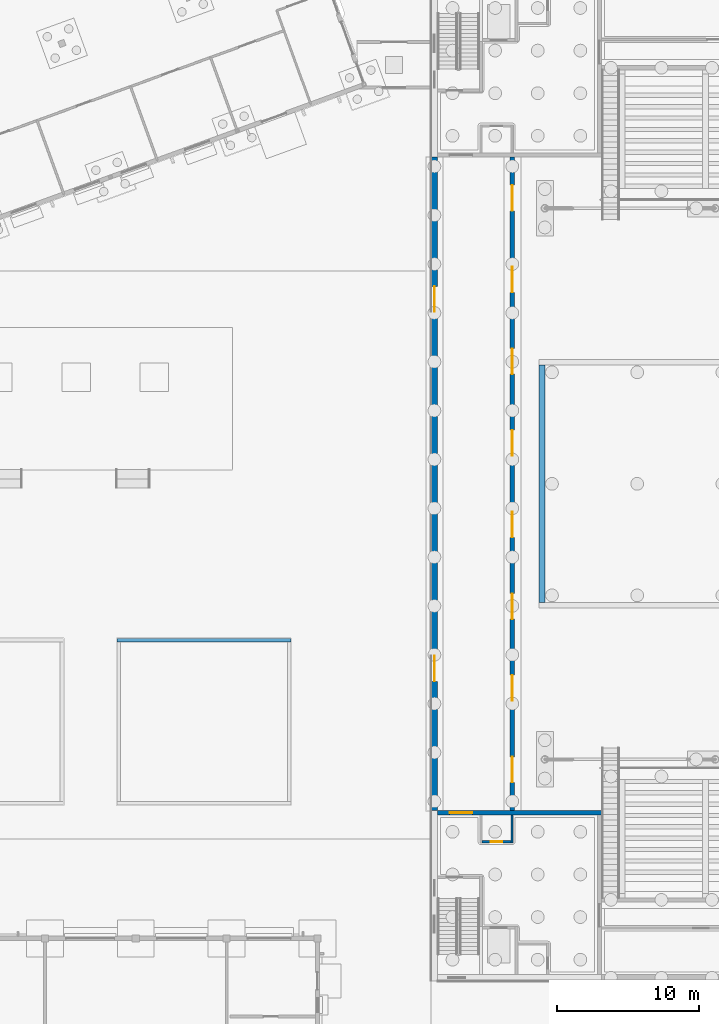
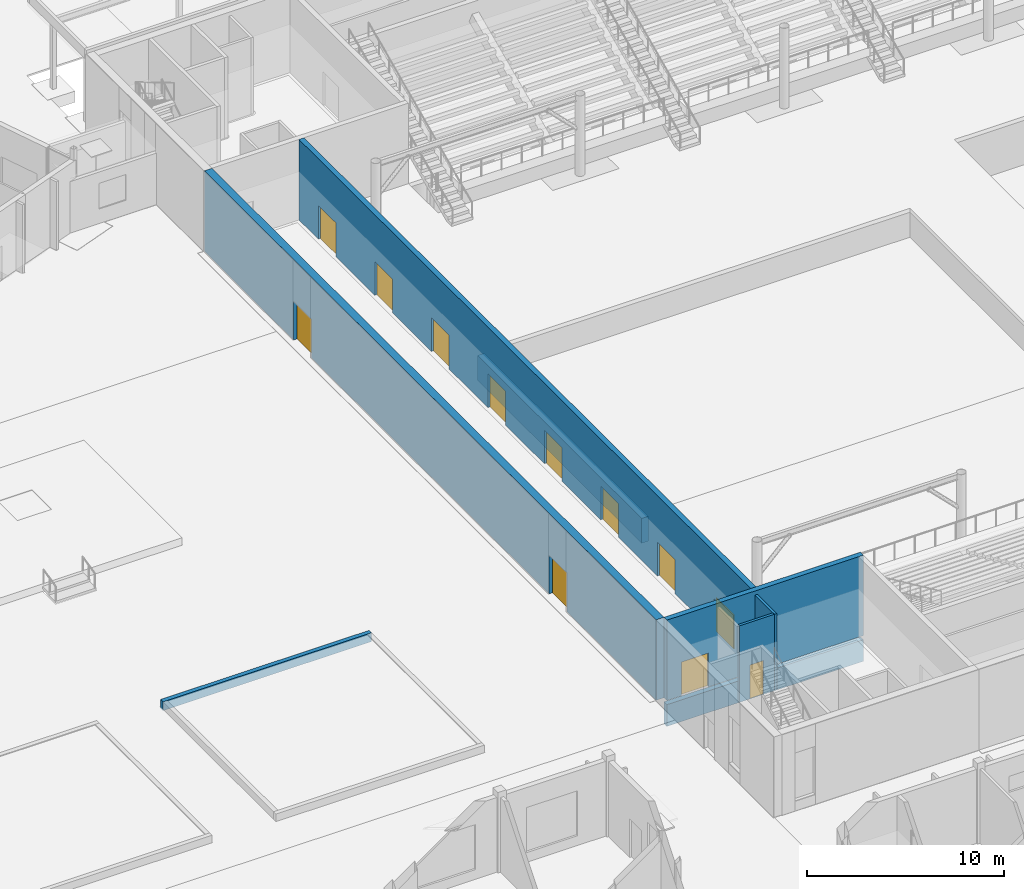
# One storey, part 78 of 157: 12 doors, 8 walls, 12 openings.
"""IFC4 building model written with IfcOpenShell, lengths in metres."""

from ifc_helpers import new_model, si_unit, direction, frame, frame_2d, origin, place, context, subcontext, project, spatial, rectangle, extrude, material, layer, layer_set, type_object, element, fill, save


model = new_model("IFC4")

# Units and contexts
model_context = context("Model", 3, precision=1e-05, world=origin(), true_north=direction((0.0, 1.0)))
body_context = subcontext(model_context, "Body", "Model", "MODEL_VIEW")
ifc_project = project(units=[si_unit("LENGTHUNIT", "METRE"), si_unit("AREAUNIT", "SQUARE_METRE"), si_unit("VOLUMEUNIT", "CUBIC_METRE"), si_unit("PLANEANGLEUNIT", "RADIAN"), si_unit("MASSUNIT", "GRAM", prefix="KILO")], contexts=[model_context])

# Site, building, storey
site_placement = place(None, origin())
site = spatial("IfcSite", under=ifc_project, at=site_placement, CompositionType="ELEMENT")
building_placement = place(site_placement, origin())
building = spatial("IfcBuilding", under=site, at=building_placement, Name="Windward Yard Aquatics Centre", CompositionType="ELEMENT")
storey_placement = place(building_placement, origin())
storey = spatial("IfcBuildingStorey", under=building, at=storey_placement, Name="L00", CompositionType="ELEMENT", Elevation=0.0)

# Wall, opening, door
ifc_material_1 = material(Name="Blockwork 150 mm", Category="masonry")
ifc_layer_1 = layer(ifc_material_1, 0.14990234375)
ifc_layer_set_1 = layer_set([ifc_layer_1], Name="H Partition Blockwork 150")
wall_type_1 = type_object("IfcWallType", Name="H Partition Blockwork 150", PredefinedType="PARTITIONING", material=ifc_layer_set_1)
wall_1_placement = place(storey_placement, frame((55.574951171875, 35.800048828125, 0.0), z_axis=(0.0, 0.0, 1.0), x_axis=(1.0, 0.0, 0.0)))
wall_1 = element("IfcWall", 1, at=wall_1_placement, inside=storey, type_object=wall_type_1, Name="L00 R2S riser wall SW", PredefinedType="PARTITIONING", context=body_context, shape_type="SweptSolid", body=[
    extrude(rectangle(XDim=2.050048828125, YDim=0.14990234375, at=frame_2d((1.02490234375, 0.0))), origin(), (0.0, 0.0, 1.0), 4.75),
])
opening_1_placement = place(wall_1_placement, frame((0.625, 0.0, 0.0)))
opening_1 = element("IfcOpeningElement", 2, at=opening_1_placement, cuts=wall_1, Name="Opening H0004", PredefinedType="OPENING", context=body_context, shape_type="SweptSolid", body=[
    extrude(rectangle(XDim=0.800048828125, YDim=2.10009765625, at=frame_2d((0.39990234375, 1.050048828125))), frame((0.0, 0.0849609375, 0.0), z_axis=(0.0, -1.0, 0.0), x_axis=(1.0, 0.0, 0.0)), (0.0, 0.0, 1.0), 0.169921875),
])
ifc_material_2 = material(Name="Steel and timber door leaf", Category="steel")
door_type_1 = type_object("IfcDoorType", Name="H Door Riser 800 x 2100 FD60", OperationType="NOTDEFINED", PredefinedType="DOOR", material=ifc_material_2)
door_1_placement = place(opening_1_placement, origin())
door_1 = element("IfcDoor", 3, at=door_1_placement, inside=storey, type_object=door_type_1, Name="L00 communications riser SW door", OperationType="SINGLE_SWING_LEFT", OverallHeight=2.10009765625, OverallWidth=0.800048828125, PredefinedType="DOOR", context=body_context, shape_type="SweptSolid", body=[
    extrude(rectangle(XDim=0.800048828125, YDim=2.10009765625, at=frame_2d((0.39990234375, 1.050048828125))), frame((0.0, 0.02490234375, 0.0), z_axis=(0.0, -1.0, 0.0), x_axis=(1.0, 0.0, 0.0)), (0.0, 0.0, 1.0), 0.050048828125),
])
fill(opening_1, door_1)

# Wall
wall_2_placement = place(storey_placement, frame((57.699951171875, 35.72509765625, 0.0), z_axis=(0.0, 0.0, 1.0), x_axis=(0.0, 1.0, 0.0)))
element("IfcWall", 4, at=wall_2_placement, inside=storey, type_object=wall_type_1, Name="L00 R2E riser wall SW", PredefinedType="PARTITIONING", context=body_context, shape_type="SweptSolid", body=[
    extrude(rectangle(XDim=1.974853515625, YDim=0.14990234375, at=frame_2d((0.9873046875, 0.0))), origin(), (0.0, 0.0, 1.0), 4.75),
])

# Wall, openings, doors
ifc_material_3 = material(Name="Natural stone cladding", Category="masonry")
ifc_layer_2 = layer(ifc_material_3, 0.04, Name="Cladding")
ifc_material_4 = material(Name="Ventilated air cavity")
ifc_layer_3 = layer(ifc_material_4, 0.05, ventilated=True, Name="Ventilated cavity")
ifc_material_5 = material(Name="Mineral wool insulation")
ifc_layer_4 = layer(ifc_material_5, 0.08, Name="Insulation")
ifc_material_6 = material(Name="Concrete C35/45", Category="concrete")
ifc_layer_5 = layer(ifc_material_6, 0.28, Name="Structure")
ifc_layer_set_2 = layer_set([ifc_layer_2, ifc_layer_3, ifc_layer_4, ifc_layer_5], Name="H plinth wall stone faced 450 C35/45")
wall_type_2 = type_object("IfcWallType", Name="H plinth wall stone faced 450 C35/45", PredefinedType="ELEMENTEDWALL", material=ifc_layer_set_2)
wall_3_placement = place(storey_placement, frame((52.22509765625, 38.0, 0.0), z_axis=(0.0, 0.0, 1.0), x_axis=(0.0, 1.0, 0.0)))
wall_3 = element("IfcWall", 5, at=wall_3_placement, inside=storey, type_object=wall_type_2, Name="H.PW.W.L00", PredefinedType="ELEMENTEDWALL", context=body_context, shape_type="SweptSolid", body=[
    extrude(rectangle(XDim=46.0, YDim=0.449951171875, at=frame_2d((23.0, 0.0))), origin(), (0.0, 0.0, 1.0), 5.0),
])
opening_2_placement = place(wall_3_placement, frame((9.10009765625, 0.0, 0.0)))
opening_2 = element("IfcOpeningElement", 6, at=opening_2_placement, cuts=wall_3, Name="Opening H0112", PredefinedType="OPENING", context=body_context, shape_type="SweptSolid", body=[
    extrude(rectangle(XDim=1.800048828125, YDim=2.39990234375, at=frame_2d((0.89990234375, 1.199951171875))), frame((0.0, 0.23486328125, 0.0), z_axis=(0.0, -1.0, 0.0), x_axis=(1.0, 0.0, 0.0)), (0.0, 0.0, 1.0), 0.469970703125),
])
opening_3_placement = place(wall_3_placement, frame((35.10009765625, 0.0, 0.0)))
opening_3 = element("IfcOpeningElement", 7, at=opening_3_placement, cuts=wall_3, Name="Opening H0113", PredefinedType="OPENING", context=body_context, shape_type="SweptSolid", body=[
    extrude(rectangle(XDim=1.800048828125, YDim=2.39990234375, at=frame_2d((0.89990234375, 1.199951171875))), frame((0.0, 0.23486328125, 0.0), z_axis=(0.0, -1.0, 0.0), x_axis=(1.0, 0.0, 0.0)), (0.0, 0.0, 1.0), 0.469970703125),
])
ifc_material_7 = material(Name="Powder coated steel door set with vision panels", Category="steel")
door_type_2 = type_object("IfcDoorType", Name="H exit door double leaf 1800x2400", OperationType="DOUBLE_DOOR_SINGLE_SWING", PredefinedType="DOOR", material=ifc_material_7)
door_2_placement = place(opening_2_placement, origin())
door_2 = element("IfcDoor", 8, at=door_2_placement, inside=storey, type_object=door_type_2, Name="Exit door W 112", OperationType="DOUBLE_DOOR_SINGLE_SWING", OverallHeight=2.39990234375, OverallWidth=1.800048828125, PredefinedType="DOOR", context=body_context, shape_type="SweptSolid", body=[
    extrude(rectangle(XDim=1.800048828125, YDim=2.39990234375, at=frame_2d((0.89990234375, 1.199951171875))), frame((0.0, 0.02490234375, 0.0), z_axis=(0.0, -1.0, 0.0), x_axis=(1.0, 0.0, 0.0)), (0.0, 0.0, 1.0), 0.050048828125),
])
fill(opening_2, door_2)
door_3_placement = place(opening_3_placement, origin())
door_3 = element("IfcDoor", 9, at=door_3_placement, inside=storey, type_object=door_type_2, Name="Exit door W 113", OperationType="DOUBLE_DOOR_SINGLE_SWING", OverallHeight=2.39990234375, OverallWidth=1.800048828125, PredefinedType="DOOR", context=body_context, shape_type="SweptSolid", body=[
    extrude(rectangle(XDim=1.800048828125, YDim=2.39990234375, at=frame_2d((0.89990234375, 1.199951171875))), frame((0.0, 0.02490234375, 0.0), z_axis=(0.0, -1.0, 0.0), x_axis=(1.0, 0.0, 0.0)), (0.0, 0.0, 1.0), 0.050048828125),
])
fill(opening_3, door_3)

ifc_layer_6 = layer(ifc_material_6, 0.300048828125)
ifc_layer_set_3 = layer_set([ifc_layer_6], Name="H rear wall 300 C35/45")
wall_type_3 = type_object("IfcWallType", Name="H rear wall 300 C35/45", PredefinedType="SOLIDWALL", material=ifc_layer_set_3)
wall_4_placement = place(storey_placement, frame((57.709716796875, 38.0, 0.0), z_axis=(0.0, 0.0, 1.0), x_axis=(0.0, 1.0, 0.0)))
wall_4 = element("IfcWall", 10, at=wall_4_placement, inside=storey, type_object=wall_type_3, Name="H.RW.W.L00", PredefinedType="SOLIDWALL", context=body_context, shape_type="SweptSolid", body=[
    extrude(rectangle(XDim=46.0, YDim=0.300048828125, at=frame_2d((23.0, 0.0))), origin(), (0.0, 0.0, 1.0), 5.0),
])
opening_4_placement = place(wall_4_placement, frame((1.97509765625, 0.0, 0.0)))
opening_4 = element("IfcOpeningElement", 11, at=opening_4_placement, cuts=wall_4, Name="Opening H0047", PredefinedType="OPENING", context=body_context, shape_type="SweptSolid", body=[
    extrude(rectangle(XDim=1.800048828125, YDim=2.10009765625, at=frame_2d((0.89990234375, 1.050048828125))), frame((0.0, 0.16015625, 0.0), z_axis=(0.0, -1.0, 0.0), x_axis=(1.0, 0.0, 0.0)), (0.0, 0.0, 1.0), 0.320068359375),
])
opening_5_placement = place(wall_4_placement, frame((7.72509765625, 0.0, 0.0)))
opening_5 = element("IfcOpeningElement", 12, at=opening_5_placement, cuts=wall_4, Name="Opening H0048", PredefinedType="OPENING", context=body_context, shape_type="SweptSolid", body=[
    extrude(rectangle(XDim=1.800048828125, YDim=2.10009765625, at=frame_2d((0.89990234375, 1.050048828125))), frame((0.0, 0.16015625, 0.0), z_axis=(0.0, -1.0, 0.0), x_axis=(1.0, 0.0, 0.0)), (0.0, 0.0, 1.0), 0.320068359375),
])
opening_6_placement = place(wall_4_placement, frame((13.47509765625, 0.0, 0.0)))
opening_6 = element("IfcOpeningElement", 13, at=opening_6_placement, cuts=wall_4, Name="Opening H0049", PredefinedType="OPENING", context=body_context, shape_type="SweptSolid", body=[
    extrude(rectangle(XDim=1.800048828125, YDim=2.10009765625, at=frame_2d((0.89990234375, 1.050048828125))), frame((0.0, 0.16015625, 0.0), z_axis=(0.0, -1.0, 0.0), x_axis=(1.0, 0.0, 0.0)), (0.0, 0.0, 1.0), 0.320068359375),
])
opening_7_placement = place(wall_4_placement, frame((19.22509765625, 0.0, 0.0)))
opening_7 = element("IfcOpeningElement", 14, at=opening_7_placement, cuts=wall_4, Name="Opening H0050", PredefinedType="OPENING", context=body_context, shape_type="SweptSolid", body=[
    extrude(rectangle(XDim=1.800048828125, YDim=2.10009765625, at=frame_2d((0.89990234375, 1.050048828125))), frame((0.0, 0.16015625, 0.0), z_axis=(0.0, -1.0, 0.0), x_axis=(1.0, 0.0, 0.0)), (0.0, 0.0, 1.0), 0.320068359375),
])
opening_8_placement = place(wall_4_placement, frame((24.97509765625, 0.0, 0.0)))
opening_8 = element("IfcOpeningElement", 15, at=opening_8_placement, cuts=wall_4, Name="Opening H0051", PredefinedType="OPENING", context=body_context, shape_type="SweptSolid", body=[
    extrude(rectangle(XDim=1.800048828125, YDim=2.10009765625, at=frame_2d((0.89990234375, 1.050048828125))), frame((0.0, 0.16015625, 0.0), z_axis=(0.0, -1.0, 0.0), x_axis=(1.0, 0.0, 0.0)), (0.0, 0.0, 1.0), 0.320068359375),
])
opening_9_placement = place(wall_4_placement, frame((30.72509765625, 0.0, 0.0)))
opening_9 = element("IfcOpeningElement", 16, at=opening_9_placement, cuts=wall_4, Name="Opening H0052", PredefinedType="OPENING", context=body_context, shape_type="SweptSolid", body=[
    extrude(rectangle(XDim=1.800048828125, YDim=2.10009765625, at=frame_2d((0.89990234375, 1.050048828125))), frame((0.0, 0.16015625, 0.0), z_axis=(0.0, -1.0, 0.0), x_axis=(1.0, 0.0, 0.0)), (0.0, 0.0, 1.0), 0.320068359375),
])
opening_10_placement = place(wall_4_placement, frame((36.47509765625, 0.0, 0.0)))
opening_10 = element("IfcOpeningElement", 17, at=opening_10_placement, cuts=wall_4, Name="Opening H0053", PredefinedType="OPENING", context=body_context, shape_type="SweptSolid", body=[
    extrude(rectangle(XDim=1.800048828125, YDim=2.10009765625, at=frame_2d((0.89990234375, 1.050048828125))), frame((0.0, 0.16015625, 0.0), z_axis=(0.0, -1.0, 0.0), x_axis=(1.0, 0.0, 0.0)), (0.0, 0.0, 1.0), 0.320068359375),
])
opening_11_placement = place(wall_4_placement, frame((42.22509765625, 0.0, 0.0)))
opening_11 = element("IfcOpeningElement", 18, at=opening_11_placement, cuts=wall_4, Name="Opening H0054", PredefinedType="OPENING", context=body_context, shape_type="SweptSolid", body=[
    extrude(rectangle(XDim=1.800048828125, YDim=2.10009765625, at=frame_2d((0.89990234375, 1.050048828125))), frame((0.0, 0.16015625, 0.0), z_axis=(0.0, -1.0, 0.0), x_axis=(1.0, 0.0, 0.0)), (0.0, 0.0, 1.0), 0.320068359375),
])
door_type_3 = type_object("IfcDoorType", Name="H Door Double 1800 x 2100 FD30S", OperationType="DOUBLE_DOOR_SINGLE_SWING", PredefinedType="DOOR", material=ifc_material_2)
door_4_placement = place(opening_4_placement, origin())
door_4 = element("IfcDoor", 19, at=door_4_placement, inside=storey, type_object=door_type_3, Name="Deck exit door W1", OperationType="DOUBLE_DOOR_SINGLE_SWING", OverallHeight=2.10009765625, OverallWidth=1.800048828125, PredefinedType="DOOR", context=body_context, shape_type="SweptSolid", body=[
    extrude(rectangle(XDim=1.800048828125, YDim=2.10009765625, at=frame_2d((0.89990234375, 1.050048828125))), frame((0.0, 0.02490234375, 0.0), z_axis=(0.0, -1.0, 0.0), x_axis=(1.0, 0.0, 0.0)), (0.0, 0.0, 1.0), 0.050048828125),
])
fill(opening_4, door_4)
door_5_placement = place(opening_5_placement, origin())
door_5 = element("IfcDoor", 20, at=door_5_placement, inside=storey, type_object=door_type_3, Name="Deck exit door W2", OperationType="DOUBLE_DOOR_SINGLE_SWING", OverallHeight=2.10009765625, OverallWidth=1.800048828125, PredefinedType="DOOR", context=body_context, shape_type="SweptSolid", body=[
    extrude(rectangle(XDim=1.800048828125, YDim=2.10009765625, at=frame_2d((0.89990234375, 1.050048828125))), frame((0.0, 0.02490234375, 0.0), z_axis=(0.0, -1.0, 0.0), x_axis=(1.0, 0.0, 0.0)), (0.0, 0.0, 1.0), 0.050048828125),
])
fill(opening_5, door_5)
door_6_placement = place(opening_6_placement, origin())
door_6 = element("IfcDoor", 21, at=door_6_placement, inside=storey, type_object=door_type_3, Name="Deck exit door W3", OperationType="DOUBLE_DOOR_SINGLE_SWING", OverallHeight=2.10009765625, OverallWidth=1.800048828125, PredefinedType="DOOR", context=body_context, shape_type="SweptSolid", body=[
    extrude(rectangle(XDim=1.800048828125, YDim=2.10009765625, at=frame_2d((0.89990234375, 1.050048828125))), frame((0.0, 0.02490234375, 0.0), z_axis=(0.0, -1.0, 0.0), x_axis=(1.0, 0.0, 0.0)), (0.0, 0.0, 1.0), 0.050048828125),
])
fill(opening_6, door_6)
door_7_placement = place(opening_7_placement, origin())
door_7 = element("IfcDoor", 22, at=door_7_placement, inside=storey, type_object=door_type_3, Name="Deck exit door W4", OperationType="DOUBLE_DOOR_SINGLE_SWING", OverallHeight=2.10009765625, OverallWidth=1.800048828125, PredefinedType="DOOR", context=body_context, shape_type="SweptSolid", body=[
    extrude(rectangle(XDim=1.800048828125, YDim=2.10009765625, at=frame_2d((0.89990234375, 1.050048828125))), frame((0.0, 0.02490234375, 0.0), z_axis=(0.0, -1.0, 0.0), x_axis=(1.0, 0.0, 0.0)), (0.0, 0.0, 1.0), 0.050048828125),
])
fill(opening_7, door_7)
door_8_placement = place(opening_8_placement, origin())
door_8 = element("IfcDoor", 23, at=door_8_placement, inside=storey, type_object=door_type_3, Name="Deck exit door W5", OperationType="DOUBLE_DOOR_SINGLE_SWING", OverallHeight=2.10009765625, OverallWidth=1.800048828125, PredefinedType="DOOR", context=body_context, shape_type="SweptSolid", body=[
    extrude(rectangle(XDim=1.800048828125, YDim=2.10009765625, at=frame_2d((0.89990234375, 1.050048828125))), frame((0.0, 0.02490234375, 0.0), z_axis=(0.0, -1.0, 0.0), x_axis=(1.0, 0.0, 0.0)), (0.0, 0.0, 1.0), 0.050048828125),
])
fill(opening_8, door_8)
door_9_placement = place(opening_9_placement, origin())
door_9 = element("IfcDoor", 24, at=door_9_placement, inside=storey, type_object=door_type_3, Name="Deck exit door W6", OperationType="DOUBLE_DOOR_SINGLE_SWING", OverallHeight=2.10009765625, OverallWidth=1.800048828125, PredefinedType="DOOR", context=body_context, shape_type="SweptSolid", body=[
    extrude(rectangle(XDim=1.800048828125, YDim=2.10009765625, at=frame_2d((0.89990234375, 1.050048828125))), frame((0.0, 0.02490234375, 0.0), z_axis=(0.0, -1.0, 0.0), x_axis=(1.0, 0.0, 0.0)), (0.0, 0.0, 1.0), 0.050048828125),
])
fill(opening_9, door_9)
door_10_placement = place(opening_10_placement, origin())
door_10 = element("IfcDoor", 25, at=door_10_placement, inside=storey, type_object=door_type_3, Name="Deck exit door W7", OperationType="DOUBLE_DOOR_SINGLE_SWING", OverallHeight=2.10009765625, OverallWidth=1.800048828125, PredefinedType="DOOR", context=body_context, shape_type="SweptSolid", body=[
    extrude(rectangle(XDim=1.800048828125, YDim=2.10009765625, at=frame_2d((0.89990234375, 1.050048828125))), frame((0.0, 0.02490234375, 0.0), z_axis=(0.0, -1.0, 0.0), x_axis=(1.0, 0.0, 0.0)), (0.0, 0.0, 1.0), 0.050048828125),
])
fill(opening_10, door_10)
door_11_placement = place(opening_11_placement, origin())
door_11 = element("IfcDoor", 26, at=door_11_placement, inside=storey, type_object=door_type_3, Name="Deck exit door W8", OperationType="DOUBLE_DOOR_SINGLE_SWING", OverallHeight=2.10009765625, OverallWidth=1.800048828125, PredefinedType="DOOR", context=body_context, shape_type="SweptSolid", body=[
    extrude(rectangle(XDim=1.800048828125, YDim=2.10009765625, at=frame_2d((0.89990234375, 1.050048828125))), frame((0.0, 0.02490234375, 0.0), z_axis=(0.0, -1.0, 0.0), x_axis=(1.0, 0.0, 0.0)), (0.0, 0.0, 1.0), 0.050048828125),
])
fill(opening_11, door_11)

# Wall
wall_5_placement = place(storey_placement, frame((52.449951171875, 37.85009765625, -1.60009765625), z_axis=(0.0, 0.0, 1.0), x_axis=(1.0, 0.0, 0.0)))
element("IfcWall", 27, at=wall_5_placement, inside=storey, type_object=wall_type_3, Name="H.CW.SW.N.PIT", PredefinedType="SOLIDWALL", context=body_context, shape_type="SweptSolid", body=[
    extrude(rectangle(XDim=11.550048828125, YDim=0.300048828125, at=frame_2d((5.77490234375, 0.0))), origin(), (0.0, 0.0, 1.0), 1.35009765625),
])

# Wall, opening, door
wall_6_placement = place(storey_placement, frame((52.449951171875, 37.85009765625, 0.0), z_axis=(0.0, 0.0, 1.0), x_axis=(1.0, 0.0, 0.0)))
wall_6 = element("IfcWall", 28, at=wall_6_placement, inside=storey, type_object=wall_type_3, Name="H.CW.SW.N.L00", PredefinedType="SOLIDWALL", context=body_context, shape_type="SweptSolid", body=[
    extrude(rectangle(XDim=11.550048828125, YDim=0.300048828125, at=frame_2d((5.77490234375, 0.0))), origin(), (0.0, 0.0, 1.0), 5.0),
])
opening_12_placement = place(wall_6_placement, frame((0.85009765625, 0.0, 0.0)))
opening_12 = element("IfcOpeningElement", 29, at=opening_12_placement, cuts=wall_6, Name="Opening H0006", PredefinedType="OPENING", context=body_context, shape_type="SweptSolid", body=[
    extrude(rectangle(XDim=1.60009765625, YDim=2.10009765625, at=frame_2d((0.800048828125, 1.050048828125))), frame((0.0, 0.16015625, 0.0), z_axis=(0.0, -1.0, 0.0), x_axis=(1.0, 0.0, 0.0)), (0.0, 0.0, 1.0), 0.320068359375),
])
door_type_4 = type_object("IfcDoorType", Name="H Door Double 1600 x 2100 FD60", OperationType="DOUBLE_DOOR_SINGLE_SWING", PredefinedType="DOOR", material=ifc_material_2)
door_12_placement = place(opening_12_placement, origin())
door_12 = element("IfcDoor", 30, at=door_12_placement, inside=storey, type_object=door_type_4, Name="L00 core SW door to gable", OperationType="DOUBLE_DOOR_SINGLE_SWING", OverallHeight=2.10009765625, OverallWidth=1.60009765625, PredefinedType="DOOR", context=body_context, shape_type="SweptSolid", body=[
    extrude(rectangle(XDim=1.60009765625, YDim=2.10009765625, at=frame_2d((0.800048828125, 1.050048828125))), frame((0.0, 0.02490234375, 0.0), z_axis=(0.0, -1.0, 0.0), x_axis=(1.0, 0.0, 0.0)), (0.0, 0.0, 1.0), 0.050048828125),
])
fill(opening_12, door_12)

# Walls
ifc_material_8 = material(Name="Ceramic tile in waterproof adhesive")
ifc_layer_7 = layer(ifc_material_8, 0.02, Name="Tile lining")
ifc_material_9 = material(Name="Cementitious waterproofing membrane")
ifc_layer_8 = layer(ifc_material_9, 0.005, Name="Waterproofing")
ifc_material_10 = material(Name="Concrete C40/50", Category="concrete")
ifc_layer_9 = layer(ifc_material_10, 0.375, Name="Structure")
ifc_layer_set_4 = layer_set([ifc_layer_7, ifc_layer_8, ifc_layer_9], Name="H tank wall 400 C40/50")
wall_type_4 = type_object("IfcWallType", Name="H tank wall 400 C40/50", PredefinedType="SOLIDWALL", material=ifc_layer_set_4)
wall_7_placement = place(storey_placement, frame((59.800048828125, 52.64990234375, -1.800048828125), z_axis=(0.0, 0.0, 1.0), x_axis=(0.0, 1.0, 0.0)))
element("IfcWall", 31, at=wall_7_placement, inside=storey, type_object=wall_type_4, Name="H.TK.T.W", PredefinedType="SOLIDWALL", context=body_context, shape_type="SweptSolid", body=[
    extrude(rectangle(XDim=16.7001953125, YDim=0.39990234375, at=frame_2d((8.35009765625, 0.0))), origin(), (0.0, 0.0, 1.0), 1.550048828125),
])
ifc_material_11 = material(Name="Bituminous waterproofing membrane with root barrier")
ifc_layer_10 = layer(ifc_material_11, 0.005, Name="Waterproofing and root barrier")
ifc_material_12 = material(Name="Concrete C30/37", Category="concrete")
ifc_layer_11 = layer(ifc_material_12, 0.245, Name="Structure")
ifc_layer_set_5 = layer_set([ifc_layer_10, ifc_layer_11], Name="X Planter Wall Concrete C30/37 250 x 550")
wall_type_5 = type_object("IfcWallType", Name="X Planter Wall Concrete C30/37 250 x 550", PredefinedType="USERDEFINED", material=ifc_layer_set_5)
wall_8_placement = place(storey_placement, frame((29.875, 50.0, -0.10009765625), z_axis=(0.0, 0.0, 1.0), x_axis=(1.0, 0.0, 0.0)))
element("IfcWall", 32, at=wall_8_placement, inside=storey, type_object=wall_type_5, Name="Shade tree garden planter wall", ObjectType="PLANTER WALL", PredefinedType="USERDEFINED", context=body_context, shape_type="SweptSolid", body=[
    extrude(rectangle(XDim=12.25, YDim=0.25, at=frame_2d((6.125, 0.0))), origin(), (0.0, 0.0, 1.0), 0.550048828125),
])

save(model, "model.ifc")
